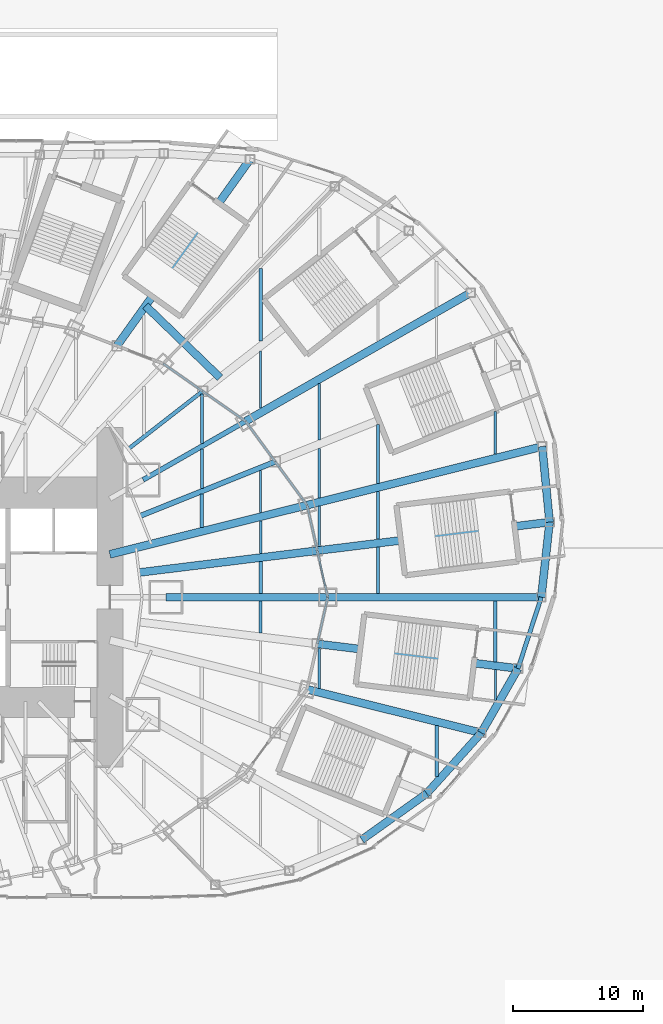
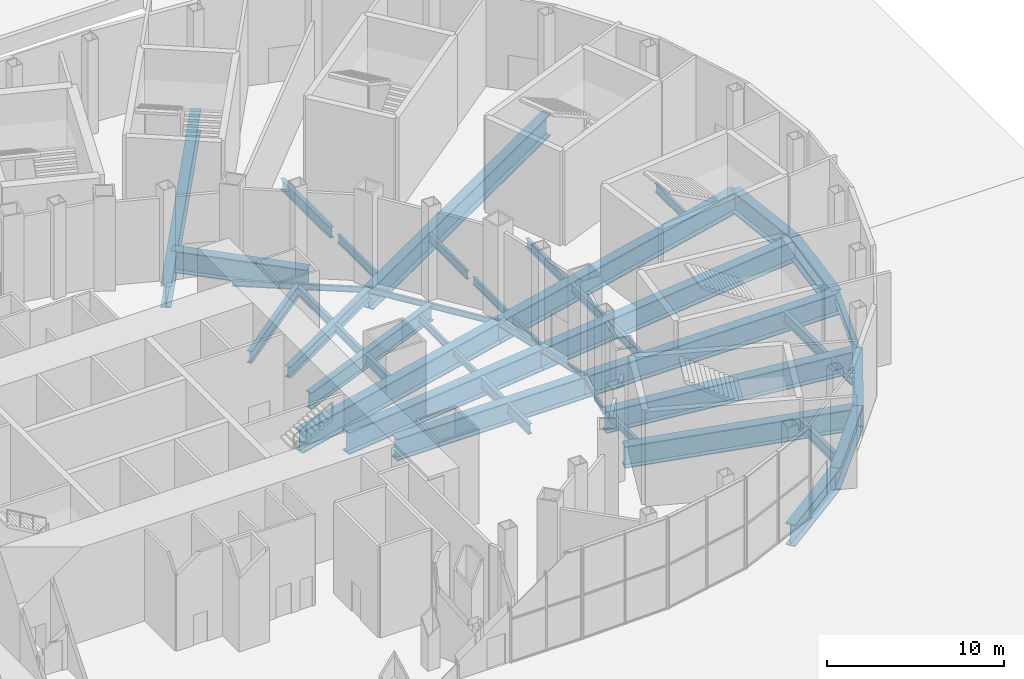
# One storey, part 9 of 47: 47 beams.
"""IFC4 building model written with IfcOpenShell, lengths in metres."""

from ifc_helpers import new_model, si_unit, direction, frame, origin, origin_2d, place, context, subcontext, project, spatial, i_section, extrude, material, material_profile, profile_set, type_object, element, save


model = new_model("IFC4")

# Units and contexts
model_context = context("Model", 3, precision=1e-05, world=origin(), true_north=direction((0.0, 1.0)))
body_context = subcontext(model_context, "Body", "Model", "MODEL_VIEW")
ifc_project = project(units=[si_unit("LENGTHUNIT", "METRE"), si_unit("AREAUNIT", "SQUARE_METRE"), si_unit("VOLUMEUNIT", "CUBIC_METRE"), si_unit("PLANEANGLEUNIT", "RADIAN"), si_unit("MASSUNIT", "GRAM", prefix="KILO")], contexts=[model_context])

# Site, building, storey
site_placement = place(None, origin())
site = spatial("IfcSite", under=ifc_project, at=site_placement, CompositionType="ELEMENT")
building_placement = place(site_placement, origin())
building = spatial("IfcBuilding", under=site, at=building_placement, Name="Lantaw Convention Tower", CompositionType="ELEMENT")
storey_placement = place(building_placement, origin())
storey = spatial("IfcBuildingStorey", under=building, at=storey_placement, Name="L00", CompositionType="ELEMENT", Elevation=0.0)

# Beams
ifc_material_1 = material(Name="Steel ASTM A572 Grade 50", Category="steel")
ifc_material_profile_1 = material_profile(ifc_material_1, i_section(OverallWidth=0.60009765625, OverallDepth=1.5, WebThickness=0.02490234375, FlangeThickness=0.06005859375, at=origin_2d()), Name="PG1500X600X25X60")
ifc_profile_set_1 = profile_set([ifc_material_profile_1], Name="Steel ASTM A572 Grade 50")
beam_type_1 = type_object("IfcBeamType", Name="Beam E PG1500X600X25X60", PredefinedType="SPANDREL", material=ifc_profile_set_1)
beam_1_placement = place(storey_placement, frame((46.2724609375, 0.0, -1.199951171875), z_axis=(0.109673093737, 0.993967712006, 0.0), x_axis=(-0.993967712006, 0.109673093737, 0.0)))
element("IfcBeam", 1, at=beam_1_placement, inside=storey, type_object=beam_type_1, Name="Podium edge beam R00", PredefinedType="SPANDREL", context=body_context, shape_type="SweptSolid", body=[
    extrude(i_section(OverallWidth=0.60009765625, OverallDepth=1.5, WebThickness=0.02490234375, FlangeThickness=0.06005859375, at=origin_2d()), origin(), (0.0, 0.0, 1.0), 5.79443359375),
])
beam_2_placement = place(storey_placement, frame((46.907958984375, 5.759521484375, -1.199951171875), z_axis=(-0.097112121047, 0.995273447825, 0.0), x_axis=(-0.995273447825, -0.097112121047, 0.0)))
element("IfcBeam", 2, at=beam_2_placement, inside=storey, type_object=beam_type_1, Name="Podium edge beam B00", PredefinedType="SPANDREL", context=body_context, shape_type="SweptSolid", body=[
    extrude(i_section(OverallWidth=0.60009765625, OverallDepth=1.5, WebThickness=0.02490234375, FlangeThickness=0.06005859375, at=origin_2d()), origin(), (0.0, 0.0, 1.0), 5.822509765625),
])
beam_3_placement = place(storey_placement, frame((32.5205078125, -18.5830078125, -1.199951171875), z_axis=(0.814722795246, 0.579850641895, 0.0), x_axis=(-0.579850641895, 0.814722795246, 0.0)))
element("IfcBeam", 3, at=beam_3_placement, inside=storey, type_object=beam_type_1, Name="Podium edge beam R22", PredefinedType="SPANDREL", context=body_context, shape_type="SweptSolid", body=[
    extrude(i_section(OverallWidth=0.60009765625, OverallDepth=1.5, WebThickness=0.02490234375, FlangeThickness=0.06005859375, at=origin_2d()), origin(), (0.0, 0.0, 1.0), 6.095458984375),
])
beam_4_placement = place(storey_placement, frame((37.486572265625, -15.048583984375, -1.199951171875), z_axis=(0.668363614772, 0.74383471178, 0.0), x_axis=(-0.74383471178, 0.668363614772, 0.0)))
element("IfcBeam", 4, at=beam_4_placement, inside=storey, type_object=beam_type_1, Name="Podium edge beam B22", PredefinedType="SPANDREL", context=body_context, shape_type="SweptSolid", body=[
    extrude(i_section(OverallWidth=0.60009765625, OverallDepth=1.5, WebThickness=0.02490234375, FlangeThickness=0.06005859375, at=origin_2d()), origin(), (0.0, 0.0, 1.0), 6.2626953125),
])
beam_5_placement = place(storey_placement, frame((41.67236328125, -10.39013671875, -1.199951171875), z_axis=(0.496180629465, 0.868219317306, 0.0), x_axis=(-0.868219317306, 0.496180629465, 0.0)))
element("IfcBeam", 5, at=beam_5_placement, inside=storey, type_object=beam_type_1, Name="Podium edge beam R23", PredefinedType="SPANDREL", context=body_context, shape_type="SweptSolid", body=[
    extrude(i_section(OverallWidth=0.60009765625, OverallDepth=1.5, WebThickness=0.02490234375, FlangeThickness=0.06005859375, at=origin_2d()), origin(), (0.0, 0.0, 1.0), 5.67578125),
])
ifc_material_2 = material(Name="Steel ASTM A992", Category="steel")
ifc_material_profile_2 = material_profile(ifc_material_2, i_section(OverallWidth=0.140380859375, OverallDepth=0.40380859375, WebThickness=0.007080078125, FlangeThickness=0.01123046875, FilletRadius=0.01025390625, at=origin_2d()), Name="W16X31")
ifc_profile_set_2 = profile_set([ifc_material_profile_2], Name="Steel ASTM A992")
beam_type_2 = type_object("IfcBeamType", Name="Beam E W16X31", PredefinedType="SPANDREL", material=ifc_profile_set_2)
beam_6_placement = place(storey_placement, frame((29.89990234375, 0.0, -0.65185546875), z_axis=(-0.218631550323, 0.975807483679, 0.0), x_axis=(-0.975807483679, -0.218631550323, 0.0)))
element("IfcBeam", 6, at=beam_6_placement, inside=storey, type_object=beam_type_2, Name="Edge beam 1", PredefinedType="SPANDREL", context=body_context, shape_type="SweptSolid", body=[
    extrude(i_section(OverallWidth=0.140380859375, OverallDepth=0.40380859375, WebThickness=0.007080078125, FlangeThickness=0.01123046875, FilletRadius=0.01025390625, at=origin_2d()), origin(), (0.0, 0.0, 1.0), 3.66162109375),
])
beam_7_placement = place(storey_placement, frame((29.099365234375, 3.572998046875, -0.65185546875), z_axis=(-0.218673326171, 0.97579812278, 0.0), x_axis=(-0.97579812278, -0.218673326171, 0.0)))
element("IfcBeam", 7, at=beam_7_placement, inside=storey, type_object=beam_type_2, Name="Edge beam 1", PredefinedType="SPANDREL", context=body_context, shape_type="SweptSolid", body=[
    extrude(i_section(OverallWidth=0.140380859375, OverallDepth=0.40380859375, WebThickness=0.007080078125, FlangeThickness=0.01123046875, FilletRadius=0.01025390625, at=origin_2d()), origin(), (0.0, 0.0, 1.0), 3.57373046875),
])
beam_8_placement = place(storey_placement, frame((28.31787109375, 7.060302734375, -0.65185546875), z_axis=(-0.591255937291, 0.806483984105, 0.0), x_axis=(-0.806483984105, -0.591255937291, 0.0)))
element("IfcBeam", 8, at=beam_8_placement, inside=storey, type_object=beam_type_2, Name="Edge beam 2", PredefinedType="SPANDREL", context=body_context, shape_type="SweptSolid", body=[
    extrude(i_section(OverallWidth=0.140380859375, OverallDepth=0.40380859375, WebThickness=0.007080078125, FlangeThickness=0.01123046875, FilletRadius=0.01025390625, at=origin_2d()), origin(), (0.0, 0.0, 1.0), 4.126708984375),
])
beam_9_placement = place(storey_placement, frame((25.8779296875, 10.388427734375, -0.65185546875), z_axis=(-0.591286566758, 0.806461527893, 0.0), x_axis=(-0.806461527893, -0.591286566758, 0.0)))
element("IfcBeam", 9, at=beam_9_placement, inside=storey, type_object=beam_type_2, Name="Edge beam 2", PredefinedType="SPANDREL", context=body_context, shape_type="SweptSolid", body=[
    extrude(i_section(OverallWidth=0.140380859375, OverallDepth=0.40380859375, WebThickness=0.007080078125, FlangeThickness=0.01123046875, FilletRadius=0.01025390625, at=origin_2d()), origin(), (0.0, 0.0, 1.0), 3.843994140625),
])
beam_10_placement = place(storey_placement, frame((23.60498046875, 13.488525390625, -0.65185546875), z_axis=(-0.819442856133, 0.573160889744, 0.0), x_axis=(-0.573160889744, -0.819442856133, 0.0)))
element("IfcBeam", 10, at=beam_10_placement, inside=storey, type_object=beam_type_2, Name="Edge beam 3", PredefinedType="SPANDREL", context=body_context, shape_type="SweptSolid", body=[
    extrude(i_section(OverallWidth=0.140380859375, OverallDepth=0.40380859375, WebThickness=0.007080078125, FlangeThickness=0.01123046875, FilletRadius=0.01025390625, at=origin_2d()), origin(), (0.0, 0.0, 1.0), 4.022705078125),
])
beam_11_placement = place(storey_placement, frame((20.30859375, 15.794189453125, -0.65185546875), z_axis=(-0.819409395821, 0.573208724672, 0.0), x_axis=(-0.573208724672, -0.819409395821, 0.0)))
element("IfcBeam", 11, at=beam_11_placement, inside=storey, type_object=beam_type_2, Name="Edge beam 3", PredefinedType="SPANDREL", context=body_context, shape_type="SweptSolid", body=[
    extrude(i_section(OverallWidth=0.140380859375, OverallDepth=0.40380859375, WebThickness=0.007080078125, FlangeThickness=0.01123046875, FilletRadius=0.01025390625, at=origin_2d()), origin(), (0.0, 0.0, 1.0), 3.682861328125),
])
beam_12_placement = place(storey_placement, frame((29.099365234375, -3.572998046875, -0.65185546875), z_axis=(0.218631550323, 0.975807483679, 0.0), x_axis=(-0.975807483679, 0.218631550323, 0.0)))
element("IfcBeam", 12, at=beam_12_placement, inside=storey, type_object=beam_type_2, Name="Edge beam 24", PredefinedType="SPANDREL", context=body_context, shape_type="SweptSolid", body=[
    extrude(i_section(OverallWidth=0.140380859375, OverallDepth=0.40380859375, WebThickness=0.007080078125, FlangeThickness=0.01123046875, FilletRadius=0.01025390625, at=origin_2d()), origin(), (0.0, 0.0, 1.0), 3.66162109375),
])
ifc_material_profile_3 = material_profile(ifc_material_2, i_section(OverallWidth=0.3251953125, OverallDepth=0.612060546875, WebThickness=0.0126953125, FlangeThickness=0.01904296875, FilletRadius=0.0126953125, at=origin_2d()), Name="W24X104")
ifc_profile_set_3 = profile_set([ifc_material_profile_3], Name="Steel ASTM A992")
beam_type_3 = type_object("IfcBeamType", Name="Beam E W24X104", PredefinedType="SPANDREL", material=ifc_profile_set_3)
beam_13_placement = place(storey_placement, frame((44.488525390625, -5.46240234375, -0.756103515625), z_axis=(0.310448009473, 0.950590360468, 0.0), x_axis=(-0.950590360468, 0.310448009473, 0.0)))
element("IfcBeam", 13, at=beam_13_placement, inside=storey, type_object=beam_type_3, Name="Podium edge beam B23", PredefinedType="SPANDREL", context=body_context, shape_type="SweptSolid", body=[
    extrude(i_section(OverallWidth=0.3251953125, OverallDepth=0.612060546875, WebThickness=0.0126953125, FlangeThickness=0.01904296875, FilletRadius=0.0126953125, at=origin_2d()), origin(), (0.0, 0.0, 1.0), 5.746337890625),
])
ifc_material_profile_4 = material_profile(ifc_material_1, i_section(OverallWidth=0.60009765625, OverallDepth=1.5, WebThickness=0.02490234375, FlangeThickness=0.06005859375, at=origin_2d()), Name="PG1500X600X25X60")
ifc_profile_set_4 = profile_set([ifc_material_profile_4], Name="Steel ASTM A572 Grade 50")
beam_type_4 = type_object("IfcBeamType", Name="Beam G PG1500X600X25X60", PredefinedType="BEAM", material=ifc_profile_set_4)
beam_14_placement = place(storey_placement, frame((17.5, 0.0, -1.199951171875), z_axis=(1.0, 0.0, 0.0), x_axis=(0.0, 1.0, 0.0)))
element("IfcBeam", 14, at=beam_14_placement, inside=storey, type_object=beam_type_4, Name="Floor girder on ray 1", PredefinedType="BEAM", context=body_context, shape_type="SweptSolid", body=[
    extrude(i_section(OverallWidth=0.60009765625, OverallDepth=1.5, WebThickness=0.02490234375, FlangeThickness=0.06005859375, at=origin_2d()), origin(), (0.0, 0.0, 1.0), 12.39990234375),
])
beam_15_placement = place(storey_placement, frame((15.433349609375, 1.89501953125, -1.199951171875), z_axis=(0.99254612715, 0.121869542874, 0.0), x_axis=(-0.121869542874, 0.99254612715, 0.0)))
element("IfcBeam", 15, at=beam_15_placement, inside=storey, type_object=beam_type_4, Name="Floor girder on bisector 1", PredefinedType="BEAM", context=body_context, shape_type="SweptSolid", body=[
    extrude(i_section(OverallWidth=0.60009765625, OverallDepth=1.5, WebThickness=0.02490234375, FlangeThickness=0.06005859375, at=origin_2d()), origin(), (0.0, 0.0, 1.0), 13.7685546875),
])
beam_16_placement = place(storey_placement, frame((13.199951171875, 3.291015625, -1.199951171875), z_axis=(0.970296233567, 0.241919860957, 0.0), x_axis=(-0.241919860957, 0.970296233567, 0.0)))
element("IfcBeam", 16, at=beam_16_placement, inside=storey, type_object=beam_type_4, Name="Floor girder on ray 2", PredefinedType="BEAM", context=body_context, shape_type="SweptSolid", body=[
    extrude(i_section(OverallWidth=0.60009765625, OverallDepth=1.5, WebThickness=0.02490234375, FlangeThickness=0.06005859375, at=origin_2d()), origin(), (0.0, 0.0, 1.0), 15.580810546875),
])
ifc_material_profile_5 = material_profile(ifc_material_2, i_section(OverallWidth=0.381103515625, OverallDepth=0.772216796875, WebThickness=0.0166015625, FlangeThickness=0.027099609375, FilletRadius=0.0146484375, at=origin_2d()), Name="W30X173")
ifc_profile_set_5 = profile_set([ifc_material_profile_5], Name="Steel ASTM A992")
beam_type_5 = type_object("IfcBeamType", Name="Beam G W30X173", PredefinedType="BEAM", material=ifc_profile_set_5)
beam_17_placement = place(storey_placement, frame((15.75, 9.0, -0.836181640625), z_axis=(0.868244802791, 0.496136032179, 0.0), x_axis=(-0.496136032179, 0.868244802791, 0.0)))
element("IfcBeam", 17, at=beam_17_placement, inside=storey, type_object=beam_type_5, Name="Floor girder on ray 3", PredefinedType="BEAM", context=body_context, shape_type="SweptSolid", body=[
    extrude(i_section(OverallWidth=0.381103515625, OverallDepth=0.772216796875, WebThickness=0.0166015625, FlangeThickness=0.027099609375, FilletRadius=0.0146484375, at=origin_2d()), origin(), (0.0, 0.0, 1.0), 9.046875),
])
ifc_material_profile_6 = material_profile(ifc_material_2, i_section(OverallWidth=0.2919921875, OverallDepth=0.845703125, WebThickness=0.015380859375, FlangeThickness=0.0244140625, FilletRadius=0.01513671875, at=origin_2d()), Name="W33X141")
ifc_profile_set_6 = profile_set([ifc_material_profile_6], Name="Steel ASTM A992")
beam_type_6 = type_object("IfcBeamType", Name="Beam G W33X141", PredefinedType="BEAM", material=ifc_profile_set_6)
beam_18_placement = place(storey_placement, frame((14.628173828125, 11.37646484375, -0.872802734375), z_axis=(0.789377792374, 0.613907729961, 0.0), x_axis=(-0.613907729961, 0.789377792374, 0.0)))
element("IfcBeam", 18, at=beam_18_placement, inside=storey, type_object=beam_type_6, Name="Floor girder on bisector 3", PredefinedType="BEAM", context=body_context, shape_type="SweptSolid", body=[
    extrude(i_section(OverallWidth=0.2919921875, OverallDepth=0.845703125, WebThickness=0.015380859375, FlangeThickness=0.0244140625, FilletRadius=0.01513671875, at=origin_2d()), origin(), (0.0, 0.0, 1.0), 7.196044921875),
])
ifc_material_profile_7 = material_profile(ifc_material_2, i_section(OverallWidth=0.40380859375, OverallDepth=1.11767578125, WebThickness=0.026123046875, FlangeThickness=0.044921875, FilletRadius=0.02001953125, at=origin_2d()), Name="W44X335")
ifc_profile_set_7 = profile_set([ifc_material_profile_7], Name="Steel ASTM A992")
beam_type_7 = type_object("IfcBeamType", Name="Beam G W44X335", PredefinedType="BEAM", material=ifc_profile_set_7)
beam_19_placement = place(storey_placement, frame((15.52001953125, 6.23046875, -1.0087890625), z_axis=(0.928018900171, 0.372533113864, 0.0), x_axis=(-0.372533113864, 0.928018900171, 0.0)))
element("IfcBeam", 19, at=beam_19_placement, inside=storey, type_object=beam_type_7, Name="Floor girder on bisector 2", PredefinedType="BEAM", context=body_context, shape_type="SweptSolid", body=[
    extrude(i_section(OverallWidth=0.40380859375, OverallDepth=1.11767578125, WebThickness=0.026123046875, FlangeThickness=0.044921875, FilletRadius=0.02001953125, at=origin_2d()), origin(), (0.0, 0.0, 1.0), 11.161376953125),
])
ifc_material_profile_8 = material_profile(ifc_material_2, i_section(OverallWidth=0.1904296875, OverallDepth=0.457275390625, WebThickness=0.009033203125, FlangeThickness=0.014404296875, FilletRadius=0.01025390625, at=origin_2d()), Name="W18X50")
ifc_profile_set_8 = profile_set([ifc_material_profile_8], Name="Steel ASTM A992")
beam_type_8 = type_object("IfcBeamType", Name="Beam J W18X50", PredefinedType="JOIST", material=ifc_profile_set_8)
beam_20_placement = place(storey_placement, frame((24.75, 3.341064453125, -0.6787109375), z_axis=(0.0, 1.0, 0.0), x_axis=(-1.0, 0.0, 0.0)))
element("IfcBeam", 20, at=beam_20_placement, inside=storey, type_object=beam_type_8, Name="Floor joist", PredefinedType="JOIST", context=body_context, shape_type="SweptSolid", body=[
    extrude(i_section(OverallWidth=0.1904296875, OverallDepth=0.457275390625, WebThickness=0.009033203125, FlangeThickness=0.014404296875, FilletRadius=0.01025390625, at=origin_2d()), origin(), (0.0, 0.0, 1.0), 2.5205078125),
])
ifc_material_profile_9 = material_profile(ifc_material_2, i_section(OverallWidth=0.1650390625, OverallDepth=0.52587890625, WebThickness=0.0087890625, FlangeThickness=0.011474609375, FilletRadius=0.0126953125, at=origin_2d()), Name="W21X44")
ifc_profile_set_9 = profile_set([ifc_material_profile_9], Name="Steel ASTM A992")
beam_type_9 = type_object("IfcBeamType", Name="Beam J W21X44", PredefinedType="JOIST", material=ifc_profile_set_9)
beam_21_placement = place(storey_placement, frame((24.75, 6.47998046875, -0.712890625), z_axis=(0.0, 1.0, 0.0), x_axis=(-1.0, 0.0, 0.0)))
element("IfcBeam", 21, at=beam_21_placement, inside=storey, type_object=beam_type_9, Name="Floor joist", PredefinedType="JOIST", context=body_context, shape_type="SweptSolid", body=[
    extrude(i_section(OverallWidth=0.1650390625, OverallDepth=0.52587890625, WebThickness=0.0087890625, FlangeThickness=0.011474609375, FilletRadius=0.0126953125, at=origin_2d()), origin(), (0.0, 0.0, 1.0), 3.238037109375),
])
beam_22_placement = place(storey_placement, frame((29.25, 3.893798828125, -0.712890625), z_axis=(0.0, 1.0, 0.0), x_axis=(-1.0, 0.0, 0.0)))
element("IfcBeam", 22, at=beam_22_placement, inside=storey, type_object=beam_type_9, Name="Floor joist", PredefinedType="JOIST", context=body_context, shape_type="SweptSolid", body=[
    extrude(i_section(OverallWidth=0.1650390625, OverallDepth=0.52587890625, WebThickness=0.0087890625, FlangeThickness=0.011474609375, FilletRadius=0.0126953125, at=origin_2d()), origin(), (0.0, 0.0, 1.0), 3.08984375),
])
ifc_material_profile_10 = material_profile(ifc_material_2, i_section(OverallWidth=0.165771484375, OverallDepth=0.5283203125, WebThickness=0.009765625, FlangeThickness=0.013671875, FilletRadius=0.012939453125, at=origin_2d()), Name="W21X50")
ifc_profile_set_10 = profile_set([ifc_material_profile_10], Name="Steel ASTM A992")
beam_type_10 = type_object("IfcBeamType", Name="Beam J W21X50", PredefinedType="JOIST", material=ifc_profile_set_10)
beam_23_placement = place(storey_placement, frame((29.25, 7.60205078125, -0.714111328125), z_axis=(0.0, 1.0, 0.0), x_axis=(-1.0, 0.0, 0.0)))
element("IfcBeam", 23, at=beam_23_placement, inside=storey, type_object=beam_type_10, Name="Floor joist", PredefinedType="JOIST", context=body_context, shape_type="SweptSolid", body=[
    extrude(i_section(OverallWidth=0.165771484375, OverallDepth=0.5283203125, WebThickness=0.009765625, FlangeThickness=0.013671875, FilletRadius=0.012939453125, at=origin_2d()), origin(), (0.0, 0.0, 1.0), 3.81689453125),
])
beam_24_placement = place(storey_placement, frame((42.75, -7.89990234375, -0.714111328125), z_axis=(0.0, 1.0, 0.0), x_axis=(-1.0, 0.0, 0.0)))
element("IfcBeam", 24, at=beam_24_placement, inside=storey, type_object=beam_type_10, Name="Floor joist", PredefinedType="JOIST", context=body_context, shape_type="SweptSolid", body=[
    extrude(i_section(OverallWidth=0.165771484375, OverallDepth=0.5283203125, WebThickness=0.009765625, FlangeThickness=0.013671875, FilletRadius=0.012939453125, at=origin_2d()), origin(), (0.0, 0.0, 1.0), 2.3486328125),
])
ifc_material_profile_11 = material_profile(ifc_material_2, i_section(OverallWidth=0.209228515625, OverallDepth=0.533447265625, WebThickness=0.01025390625, FlangeThickness=0.015625, FilletRadius=0.012939453125, at=origin_2d()), Name="W21X62")
ifc_profile_set_11 = profile_set([ifc_material_profile_11], Name="Steel ASTM A992")
beam_type_11 = type_object("IfcBeamType", Name="Beam J W21X62", PredefinedType="JOIST", material=ifc_profile_set_11)
beam_25_placement = place(storey_placement, frame((29.25, -6.983642578125, -0.716796875), z_axis=(0.0, 1.0, 0.0), x_axis=(-1.0, 0.0, 0.0)))
element("IfcBeam", 25, at=beam_25_placement, inside=storey, type_object=beam_type_11, Name="Floor joist", PredefinedType="JOIST", context=body_context, shape_type="SweptSolid", body=[
    extrude(i_section(OverallWidth=0.209228515625, OverallDepth=0.533447265625, WebThickness=0.01025390625, FlangeThickness=0.015625, FilletRadius=0.012939453125, at=origin_2d()), origin(), (0.0, 0.0, 1.0), 3.08984375),
])
ifc_material_profile_12 = material_profile(ifc_material_2, i_section(OverallWidth=0.177978515625, OverallDepth=0.599365234375, WebThickness=0.010009765625, FlangeThickness=0.012939453125, FilletRadius=0.012939453125, at=origin_2d()), Name="W24X55")
ifc_profile_set_12 = profile_set([ifc_material_profile_12], Name="Steel ASTM A992")
beam_type_12 = type_object("IfcBeamType", Name="Beam J W24X55", PredefinedType="JOIST", material=ifc_profile_set_12)
beam_26_placement = place(storey_placement, frame((24.75, 14.48828125, -0.749755859375), z_axis=(0.0, 1.0, 0.0), x_axis=(-1.0, 0.0, 0.0)))
element("IfcBeam", 26, at=beam_26_placement, inside=storey, type_object=beam_type_12, Name="Floor joist", PredefinedType="JOIST", context=body_context, shape_type="SweptSolid", body=[
    extrude(i_section(OverallWidth=0.177978515625, OverallDepth=0.599365234375, WebThickness=0.010009765625, FlangeThickness=0.012939453125, FilletRadius=0.012939453125, at=origin_2d()), origin(), (0.0, 0.0, 1.0), 4.3798828125),
])
beam_27_placement = place(storey_placement, frame((29.25, 12.0654296875, -0.749755859375), z_axis=(0.0, 1.0, 0.0), x_axis=(-1.0, 0.0, 0.0)))
element("IfcBeam", 27, at=beam_27_placement, inside=storey, type_object=beam_type_12, Name="Floor joist", PredefinedType="JOIST", context=body_context, shape_type="SweptSolid", body=[
    extrude(i_section(OverallWidth=0.177978515625, OverallDepth=0.599365234375, WebThickness=0.010009765625, FlangeThickness=0.012939453125, FilletRadius=0.012939453125, at=origin_2d()), origin(), (0.0, 0.0, 1.0), 4.30322265625),
])
beam_28_placement = place(storey_placement, frame((42.75, 10.968017578125, -0.749755859375), z_axis=(0.0, 1.0, 0.0), x_axis=(-1.0, 0.0, 0.0)))
element("IfcBeam", 28, at=beam_28_placement, inside=storey, type_object=beam_type_12, Name="Floor joist", PredefinedType="JOIST", context=body_context, shape_type="SweptSolid", body=[
    extrude(i_section(OverallWidth=0.177978515625, OverallDepth=0.599365234375, WebThickness=0.010009765625, FlangeThickness=0.012939453125, FilletRadius=0.012939453125, at=origin_2d()), origin(), (0.0, 0.0, 1.0), 3.2841796875),
])
ifc_material_profile_13 = material_profile(ifc_material_2, i_section(OverallWidth=0.227783203125, OverallDepth=0.60205078125, WebThickness=0.010498046875, FlangeThickness=0.014892578125, FilletRadius=0.012939453125, at=origin_2d()), Name="W24X68")
ifc_profile_set_13 = profile_set([ifc_material_profile_13], Name="Steel ASTM A992")
beam_type_13 = type_object("IfcBeamType", Name="Beam J W24X68", PredefinedType="JOIST", material=ifc_profile_set_13)
beam_29_placement = place(storey_placement, frame((33.75, 4.4462890625, -0.7509765625), z_axis=(0.0, 1.0, 0.0), x_axis=(-1.0, 0.0, 0.0)))
element("IfcBeam", 29, at=beam_29_placement, inside=storey, type_object=beam_type_13, Name="Floor joist", PredefinedType="JOIST", context=body_context, shape_type="SweptSolid", body=[
    extrude(i_section(OverallWidth=0.227783203125, OverallDepth=0.60205078125, WebThickness=0.010498046875, FlangeThickness=0.014892578125, FilletRadius=0.012939453125, at=origin_2d()), origin(), (0.0, 0.0, 1.0), 3.659423828125),
])
ifc_material_profile_14 = material_profile(ifc_material_2, i_section(OverallWidth=0.22900390625, OverallDepth=0.612060546875, WebThickness=0.011962890625, FlangeThickness=0.01953125, FilletRadius=0.0126953125, at=origin_2d()), Name="W24X84")
ifc_profile_set_14 = profile_set([ifc_material_profile_14], Name="Steel ASTM A992")
beam_type_14 = type_object("IfcBeamType", Name="Beam J W24X84", PredefinedType="JOIST", material=ifc_profile_set_14)
beam_30_placement = place(storey_placement, frame((20.25, 8.3466796875, -0.756103515625), z_axis=(0.0, 1.0, 0.0), x_axis=(-1.0, 0.0, 0.0)))
element("IfcBeam", 30, at=beam_30_placement, inside=storey, type_object=beam_type_14, Name="Floor joist", PredefinedType="JOIST", context=body_context, shape_type="SweptSolid", body=[
    extrude(i_section(OverallWidth=0.22900390625, OverallDepth=0.612060546875, WebThickness=0.011962890625, FlangeThickness=0.01953125, FilletRadius=0.0126953125, at=origin_2d()), origin(), (0.0, 0.0, 1.0), 3.00537109375),
])
beam_31_placement = place(storey_placement, frame((20.25, 11.790771484375, -0.756103515625), z_axis=(0.0, 1.0, 0.0), x_axis=(-1.0, 0.0, 0.0)))
element("IfcBeam", 31, at=beam_31_placement, inside=storey, type_object=beam_type_14, Name="Floor joist", PredefinedType="JOIST", context=body_context, shape_type="SweptSolid", body=[
    extrude(i_section(OverallWidth=0.22900390625, OverallDepth=0.612060546875, WebThickness=0.011962890625, FlangeThickness=0.01953125, FilletRadius=0.0126953125, at=origin_2d()), origin(), (0.0, 0.0, 1.0), 3.772705078125),
])
beam_32_placement = place(storey_placement, frame((33.75, 0.300048828125, -0.756103515625), z_axis=(0.0, 1.0, 0.0), x_axis=(-1.0, 0.0, 0.0)))
element("IfcBeam", 32, at=beam_32_placement, inside=storey, type_object=beam_type_14, Name="Floor joist", PredefinedType="JOIST", context=body_context, shape_type="SweptSolid", body=[
    extrude(i_section(OverallWidth=0.22900390625, OverallDepth=0.612060546875, WebThickness=0.011962890625, FlangeThickness=0.01953125, FilletRadius=0.0126953125, at=origin_2d()), origin(), (0.0, 0.0, 1.0), 3.541748046875),
])
beam_33_placement = place(storey_placement, frame((33.75, 8.72412109375, -0.756103515625), z_axis=(0.0, 1.0, 0.0), x_axis=(-1.0, 0.0, 0.0)))
element("IfcBeam", 33, at=beam_33_placement, inside=storey, type_object=beam_type_14, Name="Floor joist", PredefinedType="JOIST", context=body_context, shape_type="SweptSolid", body=[
    extrude(i_section(OverallWidth=0.22900390625, OverallDepth=0.612060546875, WebThickness=0.011962890625, FlangeThickness=0.01953125, FilletRadius=0.0126953125, at=origin_2d()), origin(), (0.0, 0.0, 1.0), 4.501220703125),
])
ifc_material_profile_15 = material_profile(ifc_material_2, i_section(OverallWidth=0.25390625, OverallDepth=0.700927734375, WebThickness=0.015380859375, FlangeThickness=0.02783203125, FilletRadius=0.01513671875, at=origin_2d()), Name="W27X129")
ifc_profile_set_15 = profile_set([ifc_material_profile_15], Name="Steel ASTM A992")
beam_type_15 = type_object("IfcBeamType", Name="Beam J W27X129", PredefinedType="JOIST", material=ifc_profile_set_15)
beam_34_placement = place(storey_placement, frame((24.75, -2.736572265625, -0.800537109375), z_axis=(0.0, 1.0, 0.0), x_axis=(-1.0, 0.0, 0.0)))
element("IfcBeam", 34, at=beam_34_placement, inside=storey, type_object=beam_type_15, Name="Floor joist", PredefinedType="JOIST", context=body_context, shape_type="SweptSolid", body=[
    extrude(i_section(OverallWidth=0.25390625, OverallDepth=0.700927734375, WebThickness=0.015380859375, FlangeThickness=0.02783203125, FilletRadius=0.01513671875, at=origin_2d()), origin(), (0.0, 0.0, 1.0), 2.4365234375),
])
ifc_material_profile_16 = material_profile(ifc_material_2, i_section(OverallWidth=0.25390625, OverallDepth=0.683349609375, WebThickness=0.012451171875, FlangeThickness=0.01904296875, FilletRadius=0.01513671875, at=origin_2d()), Name="W27X94")
ifc_profile_set_16 = profile_set([ifc_material_profile_16], Name="Steel ASTM A992")
beam_type_16 = type_object("IfcBeamType", Name="Beam J W27X94", PredefinedType="JOIST", material=ifc_profile_set_16)
beam_35_placement = place(storey_placement, frame((20.25, 5.358154296875, -0.791748046875), z_axis=(0.0, 1.0, 0.0), x_axis=(-1.0, 0.0, 0.0)))
element("IfcBeam", 35, at=beam_35_placement, inside=storey, type_object=beam_type_16, Name="Floor joist", PredefinedType="JOIST", context=body_context, shape_type="SweptSolid", body=[
    extrude(i_section(OverallWidth=0.25390625, OverallDepth=0.683349609375, WebThickness=0.012451171875, FlangeThickness=0.01904296875, FilletRadius=0.01513671875, at=origin_2d()), origin(), (0.0, 0.0, 1.0), 2.553466796875),
])
ifc_material_profile_17 = material_profile(ifc_material_2, i_section(OverallWidth=0.2666015625, OverallDepth=0.7568359375, WebThickness=0.013916015625, FlangeThickness=0.019287109375, FilletRadius=0.0126953125, at=origin_2d()), Name="W30X108")
ifc_profile_set_17 = profile_set([ifc_material_profile_17], Name="Steel ASTM A992")
beam_type_17 = type_object("IfcBeamType", Name="Beam J W30X108", PredefinedType="JOIST", material=ifc_profile_set_17)
beam_36_placement = place(storey_placement, frame((24.75, 0.300048828125, -0.828369140625), z_axis=(0.0, 1.0, 0.0), x_axis=(-1.0, 0.0, 0.0)))
element("IfcBeam", 36, at=beam_36_placement, inside=storey, type_object=beam_type_17, Name="Floor joist", PredefinedType="JOIST", context=body_context, shape_type="SweptSolid", body=[
    extrude(i_section(OverallWidth=0.2666015625, OverallDepth=0.7568359375, WebThickness=0.013916015625, FlangeThickness=0.019287109375, FilletRadius=0.0126953125, at=origin_2d()), origin(), (0.0, 0.0, 1.0), 2.4365234375),
])
beam_37_placement = place(storey_placement, frame((38.25, -13.75, -0.828369140625), z_axis=(0.0, 1.0, 0.0), x_axis=(-1.0, 0.0, 0.0)))
element("IfcBeam", 37, at=beam_37_placement, inside=storey, type_object=beam_type_17, Name="Floor joist", PredefinedType="JOIST", context=body_context, shape_type="SweptSolid", body=[
    extrude(i_section(OverallWidth=0.2666015625, OverallDepth=0.7568359375, WebThickness=0.013916015625, FlangeThickness=0.019287109375, FilletRadius=0.0126953125, at=origin_2d()), origin(), (0.0, 0.0, 1.0), 3.904052734375),
])
beam_38_placement = place(storey_placement, frame((42.75, -4.94677734375, -0.828369140625), z_axis=(0.0, 1.0, 0.0), x_axis=(-1.0, 0.0, 0.0)))
element("IfcBeam", 38, at=beam_38_placement, inside=storey, type_object=beam_type_17, Name="Floor joist", PredefinedType="JOIST", context=body_context, shape_type="SweptSolid", body=[
    extrude(i_section(OverallWidth=0.2666015625, OverallDepth=0.7568359375, WebThickness=0.013916015625, FlangeThickness=0.019287109375, FilletRadius=0.0126953125, at=origin_2d()), origin(), (0.0, 0.0, 1.0), 4.646728515625),
])
ifc_material_profile_18 = material_profile(ifc_material_2, i_section(OverallWidth=0.2666015625, OverallDepth=0.76953125, WebThickness=0.015625, FlangeThickness=0.025390625, FilletRadius=0.0126953125, at=origin_2d()), Name="W30X132")
ifc_profile_set_18 = profile_set([ifc_material_profile_18], Name="Steel ASTM A992")
beam_type_18 = type_object("IfcBeamType", Name="Beam J W30X132", PredefinedType="JOIST", material=ifc_profile_set_18)
beam_39_placement = place(storey_placement, frame((24.75, 19.62841796875, -0.834716796875), z_axis=(0.0, 1.0, 0.0), x_axis=(-1.0, 0.0, 0.0)))
element("IfcBeam", 39, at=beam_39_placement, inside=storey, type_object=beam_type_18, Name="Floor joist", PredefinedType="JOIST", context=body_context, shape_type="SweptSolid", body=[
    extrude(i_section(OverallWidth=0.2666015625, OverallDepth=0.76953125, WebThickness=0.015625, FlangeThickness=0.025390625, FilletRadius=0.0126953125, at=origin_2d()), origin(), (0.0, 0.0, 1.0), 5.569091796875),
])
ifc_material_profile_19 = material_profile(ifc_material_1, i_section(OverallWidth=0.60009765625, OverallDepth=1.5, WebThickness=0.02490234375, FlangeThickness=0.06005859375, at=origin_2d()), Name="PG1500X600X25X60")
ifc_profile_set_19 = profile_set([ifc_material_profile_19], Name="Steel ASTM A572 Grade 50")
beam_type_19 = type_object("IfcBeamType", Name="Beam PG PG1500X600X25X60", PredefinedType="BEAM", material=ifc_profile_set_19)
beam_40_placement = place(storey_placement, frame((29.89990234375, 0.0, -1.199951171875), z_axis=(1.0, 0.0, 0.0), x_axis=(0.0, 1.0, 0.0)))
element("IfcBeam", 40, at=beam_40_placement, inside=storey, type_object=beam_type_19, Name="Podium girder PR01", PredefinedType="BEAM", context=body_context, shape_type="SweptSolid", body=[
    extrude(i_section(OverallWidth=0.60009765625, OverallDepth=1.5, WebThickness=0.02490234375, FlangeThickness=0.06005859375, at=origin_2d()), origin(), (0.0, 0.0, 1.0), 16.37255859375),
])
beam_41_placement = place(storey_placement, frame((28.31787109375, 7.060302734375, -1.199951171875), z_axis=(0.970294606785, 0.24192638559, 0.0), x_axis=(-0.24192638559, 0.970294606785, 0.0)))
element("IfcBeam", 41, at=beam_41_placement, inside=storey, type_object=beam_type_19, Name="Podium girder PR02", PredefinedType="BEAM", context=body_context, shape_type="SweptSolid", body=[
    extrude(i_section(OverallWidth=0.60009765625, OverallDepth=1.5, WebThickness=0.02490234375, FlangeThickness=0.06005859375, at=origin_2d()), origin(), (0.0, 0.0, 1.0), 18.576416015625),
])
beam_42_placement = place(storey_placement, frame((23.60498046875, 13.488525390625, -1.199951171875), z_axis=(0.868243142124, 0.496138938357, 0.0), x_axis=(-0.496138938357, 0.868243142124, 0.0)))
element("IfcBeam", 42, at=beam_42_placement, inside=storey, type_object=beam_type_19, Name="Podium girder PR03", PredefinedType="BEAM", context=body_context, shape_type="SweptSolid", body=[
    extrude(i_section(OverallWidth=0.60009765625, OverallDepth=1.5, WebThickness=0.02490234375, FlangeThickness=0.06005859375, at=origin_2d()), origin(), (0.0, 0.0, 1.0), 19.878173828125),
])
beam_43_placement = place(storey_placement, frame((28.31787109375, -7.060302734375, -1.199951171875), z_axis=(0.97029256898, -0.24193455847, 0.0), x_axis=(0.24193455847, 0.97029256898, 0.0)))
element("IfcBeam", 43, at=beam_43_placement, inside=storey, type_object=beam_type_19, Name="Podium girder PR24", PredefinedType="BEAM", context=body_context, shape_type="SweptSolid", body=[
    extrude(i_section(OverallWidth=0.60009765625, OverallDepth=1.5, WebThickness=0.02490234375, FlangeThickness=0.06005859375, at=origin_2d()), origin(), (0.0, 0.0, 1.0), 13.763427734375),
])
beam_44_placement = place(storey_placement, frame((29.099365234375, 3.572998046875, -1.199951171875), z_axis=(0.992546805071, 0.121864021526, 0.0), x_axis=(-0.121864021526, 0.992546805071, 0.0)))
element("IfcBeam", 44, at=beam_44_placement, inside=storey, type_object=beam_type_19, Name="Podium girder PB01", PredefinedType="BEAM", context=body_context, shape_type="SweptSolid", body=[
    extrude(i_section(OverallWidth=0.60009765625, OverallDepth=1.5, WebThickness=0.02490234375, FlangeThickness=0.06005859375, at=origin_2d()), origin(), (0.0, 0.0, 1.0), 17.9423828125),
])
beam_45_placement = place(storey_placement, frame((13.745361328125, 19.270263671875, -1.199951171875), z_axis=(0.580706616871, 0.814112906864, 0.0), x_axis=(-0.814112906864, 0.580706616871, 0.0)))
element("IfcBeam", 45, at=beam_45_placement, inside=storey, type_object=beam_type_19, Name="Podium girder PB04", PredefinedType="BEAM", context=body_context, shape_type="SweptSolid", body=[
    extrude(i_section(OverallWidth=0.60009765625, OverallDepth=1.5, WebThickness=0.02490234375, FlangeThickness=0.06005859375, at=origin_2d()), origin(), (0.0, 0.0, 1.0), 17.555908203125),
])
beam_46_placement = place(storey_placement, frame((29.099365234375, -3.572998046875, -1.199951171875), z_axis=(0.992547298236, -0.121860004776, 0.0), x_axis=(0.121860004776, 0.992547298236, 0.0)))
element("IfcBeam", 46, at=beam_46_placement, inside=storey, type_object=beam_type_19, Name="Podium girder PB24", PredefinedType="BEAM", context=body_context, shape_type="SweptSolid", body=[
    extrude(i_section(OverallWidth=0.60009765625, OverallDepth=1.5, WebThickness=0.02490234375, FlangeThickness=0.06005859375, at=origin_2d()), origin(), (0.0, 0.0, 1.0), 15.504638671875),
])
ifc_material_profile_20 = material_profile(ifc_material_1, i_section(OverallWidth=0.60009765625, OverallDepth=1.5, WebThickness=0.02490234375, FlangeThickness=0.06005859375, at=origin_2d()), Name="PG1500X600X25X60")
ifc_profile_set_20 = profile_set([ifc_material_profile_20], Name="Steel ASTM A572 Grade 50")
beam_type_20 = type_object("IfcBeamType", Name="Beam TP PG1500X600X25X60", PredefinedType="BEAM", material=ifc_profile_set_20)
beam_47_placement = place(storey_placement, frame((21.64208984375, 16.8310546875, -1.199951171875), z_axis=(-0.719341000633, 0.694657127515, 0.0), x_axis=(-0.694657127515, -0.719341000633, 0.0)))
element("IfcBeam", 47, at=beam_47_placement, inside=storey, type_object=beam_type_20, Name="Trimmer beam on ray 4", PredefinedType="BEAM", context=body_context, shape_type="SweptSolid", body=[
    extrude(i_section(OverallWidth=0.60009765625, OverallDepth=1.5, WebThickness=0.02490234375, FlangeThickness=0.06005859375, at=origin_2d()), origin(), (0.0, 0.0, 1.0), 7.932373046875),
])

save(model, "model.ifc")
